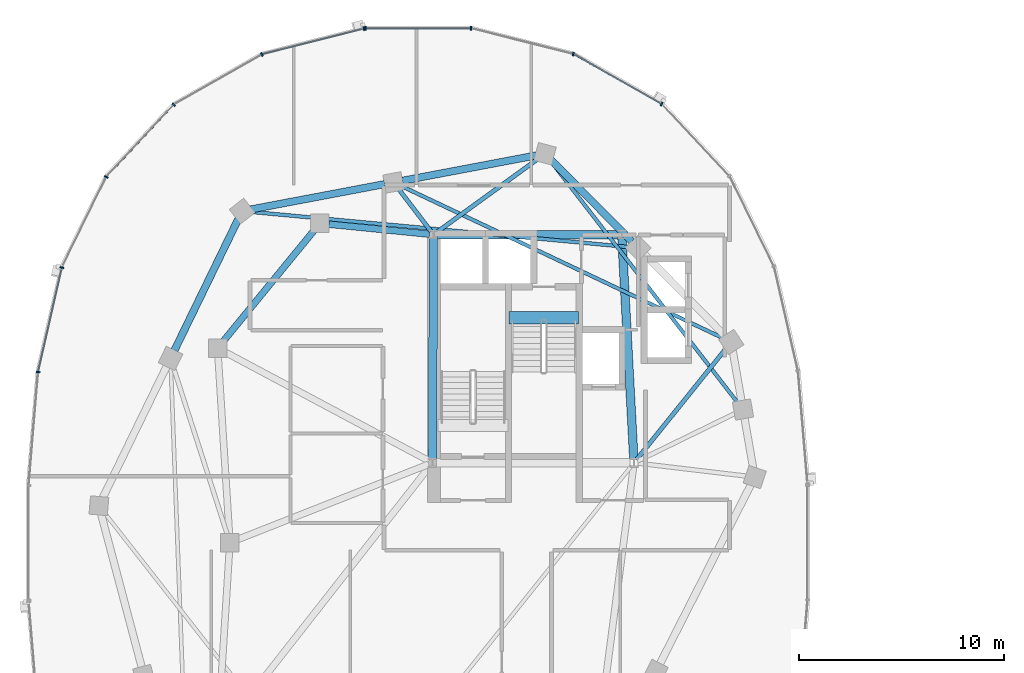
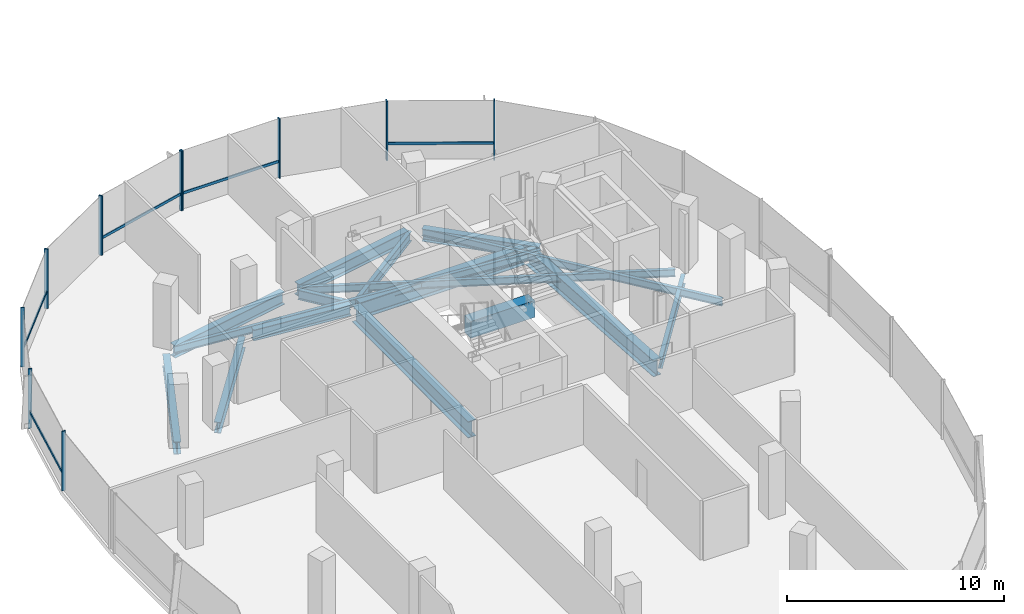
# One storey, part 6 of 25: 16 beams, 15 members, 2 elements without a shape of their own.
"""IFC4 building model written with IfcOpenShell, lengths in metres."""

from ifc_helpers import new_model, si_unit, direction, frame, origin, origin_2d, place, context, subcontext, project, spatial, rectangle, i_section, extrude, material, material_profile, profile_set, type_object, element, aggregate, save


model = new_model("IFC4")

# Units and contexts
model_context = context("Model", 3, precision=1e-05, world=origin(), true_north=direction((0.0, 1.0)))
body_context = subcontext(model_context, "Body", "Model", "MODEL_VIEW")
ifc_project = project(units=[si_unit("LENGTHUNIT", "METRE"), si_unit("AREAUNIT", "SQUARE_METRE"), si_unit("VOLUMEUNIT", "CUBIC_METRE"), si_unit("PLANEANGLEUNIT", "RADIAN"), si_unit("MASSUNIT", "GRAM", prefix="KILO"), si_unit("THERMODYNAMICTEMPERATUREUNIT", "KELVIN"), si_unit("POWERUNIT", "WATT")], contexts=[model_context])

# Site, building, storey
site_placement = place(None, origin())
site = spatial("IfcSite", under=ifc_project, at=site_placement, CompositionType="ELEMENT")
building_placement = place(site_placement, origin())
building = spatial("IfcBuilding", under=site, at=building_placement, Name="Cundina Bronze Exchange", CompositionType="ELEMENT")
storey_placement = place(building_placement, frame((0.0, 0.0, 195.39990234375)))
storey = spatial("IfcBuildingStorey", under=building, at=storey_placement, Name="L51", CompositionType="ELEMENT", Elevation=195.39990234375)

# Beams
ifc_material_1 = material(Name="Concrete C60/75", Category="concrete")
ifc_material_profile_1 = material_profile(ifc_material_1, rectangle(XDim=0.60009765625, YDim=0.949951171875, at=origin_2d()), Name="RC600X950", Category="concrete")
ifc_profile_set_1 = profile_set([ifc_material_profile_1], Name="Concrete C60/75")
beam_type_1 = type_object("IfcBeamType", Name="BM-COUP-RC950", PredefinedType="LINTEL", material=ifc_profile_set_1)
beam_1_placement = place(storey_placement, frame((-27.56005859375, 10.97998046875, -0.474853515625), z_axis=(1.0, 0.0, 0.0), x_axis=(0.0, 1.0, 0.0)))
element("IfcBeam", 1, at=beam_1_placement, inside=storey, type_object=beam_type_1, Name="L51 Stair W2 Landing Header Beam", PredefinedType="LINTEL", context=body_context, shape_type="SweptSolid", body=[
    extrude(rectangle(XDim=0.60009765625, YDim=0.949951171875, at=origin_2d()), origin(), (0.0, 0.0, 1.0), 3.400146484375),
])
ifc_material_2 = material(Name="Steel ASTM A992 Grade 50", Category="steel")
ifc_material_profile_2 = material_profile(ifc_material_2, i_section(OverallWidth=0.2119140625, OverallDepth=0.5439453125, WebThickness=0.01318359375, FlangeThickness=0.021240234375, FilletRadius=0.013916015625, at=origin_2d()), Name="W21X83", Category="steel")
ifc_profile_set_2 = profile_set([ifc_material_profile_2], Name="Steel ASTM A992 Grade 50")
beam_type_2 = type_object("IfcBeamType", Name="BM-FLR-W21A", PredefinedType="BEAM", material=ifc_profile_set_2)
beam_2_placement = place(storey_placement, frame((-21.3271484375, 4.052734375, -0.531982421875), z_axis=(0.627128630072, 0.778915708755, 0.0), x_axis=(-0.778915708755, 0.627128630072, 0.0)))
element("IfcBeam", 2, at=beam_2_placement, inside=storey, type_object=beam_type_2, Name="L51 Leg W Radial Floor Beam 02", PredefinedType="BEAM", context=body_context, shape_type="SweptSolid", body=[
    extrude(i_section(OverallWidth=0.2119140625, OverallDepth=0.5439453125, WebThickness=0.01318359375, FlangeThickness=0.021240234375, FilletRadius=0.013916015625, at=origin_2d()), origin(), (0.0, 0.0, 1.0), 6.9404296875),
])
beam_3_placement = place(storey_placement, frame((-31.09130859375, 15.1650390625, -0.531982421875), z_axis=(0.809709858543, 0.586830422677, 0.0), x_axis=(-0.586830422677, 0.809709858543, 0.0)))
element("IfcBeam", 3, at=beam_3_placement, inside=storey, type_object=beam_type_2, Name="L51 Leg W Radial Floor Beam 04", PredefinedType="BEAM", context=body_context, shape_type="SweptSolid", body=[
    extrude(i_section(OverallWidth=0.2119140625, OverallDepth=0.5439453125, WebThickness=0.01318359375, FlangeThickness=0.021240234375, FilletRadius=0.013916015625, at=origin_2d()), origin(), (0.0, 0.0, 1.0), 6.096923828125),
])
beam_4_placement = place(storey_placement, frame((-31.369140625, 15.205810546875, -0.531982421875), z_axis=(-0.60740437517, 0.794392802727, 0.0), x_axis=(-0.794392802727, -0.60740437517, 0.0)))
element("IfcBeam", 4, at=beam_4_placement, inside=storey, type_object=beam_type_2, Name="L51 Leg W Radial Floor Beam 05", PredefinedType="BEAM", context=body_context, shape_type="SweptSolid", body=[
    extrude(i_section(OverallWidth=0.2119140625, OverallDepth=0.5439453125, WebThickness=0.01318359375, FlangeThickness=0.021240234375, FilletRadius=0.013916015625, at=origin_2d()), origin(), (0.0, 0.0, 1.0), 2.575927734375),
])
ifc_material_profile_3 = material_profile(ifc_material_2, i_section(OverallWidth=0.178955078125, OverallDepth=0.409912109375, WebThickness=0.0087890625, FlangeThickness=0.014404296875, FilletRadius=0.010986328125, at=origin_2d()), Name="W16X45", Category="steel")
ifc_profile_set_3 = profile_set([ifc_material_profile_3], Name="Steel ASTM A992 Grade 50")
beam_type_3 = type_object("IfcBeamType", Name="BM-JST-W16", PredefinedType="JOIST", material=ifc_profile_set_3)
beam_5_placement = place(storey_placement, frame((-16.39306640625, 6.846435546875, -0.46484375), z_axis=(-0.612085793291, 0.790791364174, 0.0), x_axis=(-0.790791364174, -0.612085793291, 0.0)))
element("IfcBeam", 5, at=beam_5_placement, inside=storey, type_object=beam_type_3, Name="L51 Leg W Lobe Floor Joist 01-04", PredefinedType="JOIST", context=body_context, shape_type="SweptSolid", body=[
    extrude(i_section(OverallWidth=0.178955078125, OverallDepth=0.409912109375, WebThickness=0.0087890625, FlangeThickness=0.014404296875, FilletRadius=0.010986328125, at=origin_2d()), origin(), (0.0, 0.0, 1.0), 14.9306640625),
])
beam_6_placement = place(storey_placement, frame((-17.095947265625, 9.9873046875, -0.46484375), z_axis=(-0.904073747204, 0.427376484632, 0.0), x_axis=(-0.427376484632, -0.904073747204, 0.0)))
element("IfcBeam", 6, at=beam_6_placement, inside=storey, type_object=beam_type_3, Name="L51 Leg W Lobe Floor Joist 02-05", PredefinedType="JOIST", context=body_context, shape_type="SweptSolid", body=[
    extrude(i_section(OverallWidth=0.178955078125, OverallDepth=0.409912109375, WebThickness=0.0087890625, FlangeThickness=0.014404296875, FilletRadius=0.010986328125, at=origin_2d()), origin(), (0.0, 0.0, 1.0), 17.374755859375),
])
beam_7_placement = place(storey_placement, frame((-21.68603515625, 14.440673828125, -0.46484375), z_axis=(-0.9957017803, 0.092617302415, 0.0), x_axis=(-0.092617302415, -0.9957017803, 0.0)))
element("IfcBeam", 7, at=beam_7_placement, inside=storey, type_object=beam_type_3, Name="L51 Leg W Lobe Floor Joist 03-06", PredefinedType="JOIST", context=body_context, shape_type="SweptSolid", body=[
    extrude(i_section(OverallWidth=0.178955078125, OverallDepth=0.409912109375, WebThickness=0.0087890625, FlangeThickness=0.014404296875, FilletRadius=0.010986328125, at=origin_2d()), origin(), (0.0, 0.0, 1.0), 18.5576171875),
])
ifc_material_profile_4 = material_profile(ifc_material_2, i_section(OverallWidth=0.324951171875, OverallDepth=0.615966796875, WebThickness=0.013916015625, FlangeThickness=0.021484375, FilletRadius=0.01611328125, at=origin_2d()), Name="W24X117", Category="steel")
ifc_profile_set_4 = profile_set([ifc_material_profile_4], Name="Steel ASTM A992 Grade 50")
beam_type_4 = type_object("IfcBeamType", Name="BM-RING-W24", PredefinedType="USERDEFINED", material=ifc_profile_set_4)
beam_8_placement = place(storey_placement, frame((-31.445068359375, 15.0693359375, -0.56787109375), z_axis=(-0.995123854478, 0.09863323096, 0.0), x_axis=(-0.09863323096, -0.995123854478, 0.0)))
element("IfcBeam", 8, at=beam_8_placement, inside=storey, type_object=beam_type_4, Name="L51 W Inner Structural Ring Girder 01", ObjectType="GIRDER", PredefinedType="USERDEFINED", context=body_context, shape_type="SweptSolid", body=[
    extrude(i_section(OverallWidth=0.324951171875, OverallDepth=0.615966796875, WebThickness=0.013916015625, FlangeThickness=0.021484375, FilletRadius=0.01611328125, at=origin_2d()), origin(), (0.0, 0.0, 1.0), 4.943115234375),
])
beam_9_placement = place(storey_placement, frame((-37.07763671875, 15.26123046875, -0.56787109375), z_axis=(-0.633912590175, -0.77340469873, 0.0), x_axis=(0.77340469873, -0.633912590175, 0.0)))
element("IfcBeam", 9, at=beam_9_placement, inside=storey, type_object=beam_type_4, Name="L51 W Inner Structural Ring Girder 02", ObjectType="GIRDER", PredefinedType="USERDEFINED", context=body_context, shape_type="SweptSolid", body=[
    extrude(i_section(OverallWidth=0.324951171875, OverallDepth=0.615966796875, WebThickness=0.013916015625, FlangeThickness=0.021484375, FilletRadius=0.01611328125, at=origin_2d()), origin(), (0.0, 0.0, 1.0), 7.01123046875),
])
ifc_material_profile_5 = material_profile(ifc_material_2, i_section(OverallWidth=0.35498046875, OverallDepth=0.695068359375, WebThickness=0.015380859375, FlangeThickness=0.02490234375, FilletRadius=0.01806640625, at=origin_2d()), Name="W27X146", Category="steel")
ifc_profile_set_5 = profile_set([ifc_material_profile_5], Name="Steel ASTM A992 Grade 50")
beam_type_5 = type_object("IfcBeamType", Name="BM-RING-W27", PredefinedType="USERDEFINED", material=ifc_profile_set_5)
beam_10_placement = place(storey_placement, frame((-21.55810546875, 14.71142578125, -0.607421875), z_axis=(-0.703211928763, 0.710980297368, 0.0), x_axis=(-0.710980297368, -0.703211928763, 0.0)))
element("IfcBeam", 10, at=beam_10_placement, inside=storey, type_object=beam_type_5, Name="L51 W Perimeter Ring Girder 03", ObjectType="GIRDER", PredefinedType="USERDEFINED", context=body_context, shape_type="SweptSolid", body=[
    extrude(i_section(OverallWidth=0.35498046875, OverallDepth=0.695068359375, WebThickness=0.015380859375, FlangeThickness=0.02490234375, FilletRadius=0.01806640625, at=origin_2d()), origin(), (0.0, 0.0, 1.0), 5.593994140625),
])
beam_11_placement = place(storey_placement, frame((-26.23046875, 18.918701171875, -0.607421875), z_axis=(-0.982565174657, -0.185918470175, 0.0), x_axis=(0.185918470175, -0.982565174657, 0.0)))
element("IfcBeam", 11, at=beam_11_placement, inside=storey, type_object=beam_type_5, Name="L51 W Perimeter Ring Girder 04", ObjectType="GIRDER", PredefinedType="USERDEFINED", context=body_context, shape_type="SweptSolid", body=[
    extrude(i_section(OverallWidth=0.35498046875, OverallDepth=0.695068359375, WebThickness=0.015380859375, FlangeThickness=0.02490234375, FilletRadius=0.01806640625, at=origin_2d()), origin(), (0.0, 0.0, 1.0), 6.655029296875),
])
beam_12_placement = place(storey_placement, frame((-33.63037109375, 17.5185546875, -0.607421875), z_axis=(-0.982573143022, -0.185876353022, 0.0), x_axis=(0.185876353022, -0.982573143022, 0.0)))
element("IfcBeam", 12, at=beam_12_placement, inside=storey, type_object=beam_type_5, Name="L51 W Perimeter Ring Girder 05", ObjectType="GIRDER", PredefinedType="USERDEFINED", context=body_context, shape_type="SweptSolid", body=[
    extrude(i_section(OverallWidth=0.35498046875, OverallDepth=0.695068359375, WebThickness=0.015380859375, FlangeThickness=0.02490234375, FilletRadius=0.01806640625, at=origin_2d()), origin(), (0.0, 0.0, 1.0), 6.6552734375),
])
beam_13_placement = place(storey_placement, frame((-40.79150390625, 15.80615234375, -0.607421875), z_axis=(-0.437173087764, -0.89937739094, 0.0), x_axis=(0.89937739094, -0.437173087764, 0.0)))
element("IfcBeam", 13, at=beam_13_placement, inside=storey, type_object=beam_type_5, Name="L51 W Perimeter Ring Girder 06", ObjectType="GIRDER", PredefinedType="USERDEFINED", context=body_context, shape_type="SweptSolid", body=[
    extrude(i_section(OverallWidth=0.35498046875, OverallDepth=0.695068359375, WebThickness=0.015380859375, FlangeThickness=0.02490234375, FilletRadius=0.01806640625, at=origin_2d()), origin(), (0.0, 0.0, 1.0), 7.1298828125),
])
ifc_material_profile_6 = material_profile(ifc_material_2, i_section(OverallWidth=0.41796875, OverallDepth=0.927001953125, WebThickness=0.019287109375, FlangeThickness=0.031982421875, FilletRadius=0.02392578125, at=origin_2d()), Name="W36X231", Category="steel")
ifc_profile_set_6 = profile_set([ifc_material_profile_6], Name="Steel ASTM A992 Grade 50")
beam_type_6 = type_object("IfcBeamType", Name="BM-WRN-W36B", PredefinedType="USERDEFINED", material=ifc_profile_set_6)
beam_14_placement = place(storey_placement, frame((-21.46044921875, 4.095703125, -0.723388671875), z_axis=(-0.053749317644, 0.998554460634, 0.0), x_axis=(-0.998554460634, -0.053749317644, 0.0)))
element("IfcBeam", 14, at=beam_14_placement, inside=storey, type_object=beam_type_6, Name="L51 W Core Perimeter Tie Girder 2", ObjectType="GIRDER", PredefinedType="USERDEFINED", context=body_context, shape_type="SweptSolid", body=[
    extrude(i_section(OverallWidth=0.41796875, OverallDepth=0.927001953125, WebThickness=0.019287109375, FlangeThickness=0.031982421875, FilletRadius=0.02392578125, at=origin_2d()), origin(), (0.0, 0.0, 1.0), 10.774169921875),
])
beam_15_placement = place(storey_placement, frame((-22.24609375, 15.050048828125, -0.723388671875), z_axis=(-1.0, 0.0, 0.0), x_axis=(0.0, -1.0, 0.0)))
element("IfcBeam", 15, at=beam_15_placement, inside=storey, type_object=beam_type_6, Name="L51 W Core Perimeter Tie Girder 3", ObjectType="GIRDER", PredefinedType="USERDEFINED", context=body_context, shape_type="SweptSolid", body=[
    extrude(i_section(OverallWidth=0.41796875, OverallDepth=0.927001953125, WebThickness=0.019287109375, FlangeThickness=0.031982421875, FilletRadius=0.02392578125, at=origin_2d()), origin(), (0.0, 0.0, 1.0), 8.807861328125),
])
beam_16_placement = place(storey_placement, frame((-31.2509765625, 14.85400390625, -0.723388671875), z_axis=(-0.004470623654, -0.999990006712, 0.0), x_axis=(0.999990006712, -0.004470623654, 0.0)))
element("IfcBeam", 16, at=beam_16_placement, inside=storey, type_object=beam_type_6, Name="L51 W Core Perimeter Tie Girder 4", ObjectType="GIRDER", PredefinedType="USERDEFINED", context=body_context, shape_type="SweptSolid", body=[
    extrude(i_section(OverallWidth=0.41796875, OverallDepth=0.927001953125, WebThickness=0.019287109375, FlangeThickness=0.031982421875, FilletRadius=0.02392578125, at=origin_2d()), origin(), (0.0, 0.0, 1.0), 10.758056640625),
])

# Curtain wall, members
ifc_material_3 = material(Name="Anodised Bronze Aluminium 6063-T6", Category="aluminium")
curtain_wall_type = type_object("IfcCurtainWallType", Name="CWS-UPP-OFF", PredefinedType="NOTDEFINED", material=ifc_material_3)
curtain_wall_1_placement = place(storey_placement, origin())
curtain_wall_1 = element("IfcCurtainWall", 17, at=curtain_wall_1_placement, inside=storey, type_object=curtain_wall_type, Name="L51 CW-05 Curtain Wall Run CWR-L51-W1", PredefinedType="NOTDEFINED")
ifc_material_profile_7 = material_profile(ifc_material_3, rectangle(XDim=0.070068359375, YDim=0.18994140625, at=origin_2d()), Name="AL70X190", Category="aluminium")
ifc_profile_set_7 = profile_set([ifc_material_profile_7], Name="Anodised Bronze Aluminium 6063-T6")
member_type_1 = type_object("IfcMemberType", Name="CWM-MUL-190", PredefinedType="MULLION", material=ifc_profile_set_7)
member_1_placement = place(storey_placement, frame((-20.100341796875, 21.43115234375, 0.0), z_axis=(0.0, 0.0, 1.0), x_axis=(-0.86958112538, 0.493790103568, 0.0)))
member_1 = element("IfcMember", 18, at=member_1_placement, type_object=member_type_1, Name="CW-05 Mullion 5", PredefinedType="MULLION", context=body_context, shape_type="SweptSolid", body=[
    extrude(rectangle(XDim=0.070068359375, YDim=0.18994140625, at=origin_2d()), origin(), (0.0, 0.0, 1.0), 3.340087890625),
])
member_2_placement = place(storey_placement, frame((-24.422607421875, 23.87548828125, 0.0), z_axis=(0.0, 0.0, 1.0), x_axis=(-0.969744325821, 0.244122802168, 0.0)))
member_2 = element("IfcMember", 19, at=member_2_placement, type_object=member_type_1, Name="CW-05 Mullion 6", PredefinedType="MULLION", context=body_context, shape_type="SweptSolid", body=[
    extrude(rectangle(XDim=0.070068359375, YDim=0.18994140625, at=origin_2d()), origin(), (0.0, 0.0, 1.0), 3.340087890625),
])
member_3_placement = place(storey_placement, frame((-29.419921875, 25.125, 0.0), z_axis=(0.0, 0.0, 1.0), x_axis=(-1.0, 0.0, 0.0)))
member_3 = element("IfcMember", 20, at=member_3_placement, type_object=member_type_1, Name="CW-05 Mullion 7", PredefinedType="MULLION", context=body_context, shape_type="SweptSolid", body=[
    extrude(rectangle(XDim=0.070068359375, YDim=0.18994140625, at=origin_2d()), origin(), (0.0, 0.0, 1.0), 3.340087890625),
])
member_4_placement = place(storey_placement, frame((-34.580078125, 25.125, 0.0), z_axis=(0.0, 0.0, 1.0), x_axis=(-1.0, 0.0, 0.0)))
member_4 = element("IfcMember", 21, at=member_4_placement, type_object=member_type_1, Name="CW-05 End Mullion", PredefinedType="MULLION", context=body_context, shape_type="SweptSolid", body=[
    extrude(rectangle(XDim=0.070068359375, YDim=0.18994140625, at=origin_2d()), origin(), (0.0, 0.0, 1.0), 3.340087890625),
])

curtain_wall_2_placement = place(storey_placement, origin())
curtain_wall_2 = element("IfcCurtainWall", 22, at=curtain_wall_2_placement, inside=storey, type_object=curtain_wall_type, Name="L51 CW-05 Curtain Wall Run CWR-L51-W2", PredefinedType="NOTDEFINED")
member_5_placement = place(storey_placement, frame((-34.6484375, 25.116455078125, 0.0), z_axis=(0.0, 0.0, 1.0), x_axis=(-0.969744325821, -0.244122802168, 0.0)))
member_5 = element("IfcMember", 23, at=member_5_placement, type_object=member_type_1, Name="CW-05 Mullion 1", PredefinedType="MULLION", context=body_context, shape_type="SweptSolid", body=[
    extrude(rectangle(XDim=0.070068359375, YDim=0.18994140625, at=origin_2d()), origin(), (0.0, 0.0, 1.0), 3.340087890625),
])
member_6_placement = place(storey_placement, frame((-39.638916015625, 23.850830078125, 0.0), z_axis=(0.0, 0.0, 1.0), x_axis=(-0.86958112538, -0.493790103568, 0.0)))
member_6 = element("IfcMember", 24, at=member_6_placement, type_object=member_type_1, Name="CW-05 Mullion 2", PredefinedType="MULLION", context=body_context, shape_type="SweptSolid", body=[
    extrude(rectangle(XDim=0.070068359375, YDim=0.18994140625, at=origin_2d()), origin(), (0.0, 0.0, 1.0), 3.340087890625),
])
member_7_placement = place(storey_placement, frame((-43.94873046875, 21.392578125, 0.0), z_axis=(0.0, 0.0, 1.0), x_axis=(-0.684292606175, -0.729207535023, 0.0)))
member_7 = element("IfcMember", 25, at=member_7_placement, type_object=member_type_1, Name="CW-05 Mullion 3", PredefinedType="MULLION", context=body_context, shape_type="SweptSolid", body=[
    extrude(rectangle(XDim=0.070068359375, YDim=0.18994140625, at=origin_2d()), origin(), (0.0, 0.0, 1.0), 3.340087890625),
])
member_8_placement = place(storey_placement, frame((-47.245361328125, 17.866455078125, 0.0), z_axis=(0.0, 0.0, 1.0), x_axis=(-0.440566004113, -0.897720221461, 0.0)))
member_8 = element("IfcMember", 26, at=member_8_placement, type_object=member_type_1, Name="CW-05 Mullion 4", PredefinedType="MULLION", context=body_context, shape_type="SweptSolid", body=[
    extrude(rectangle(XDim=0.070068359375, YDim=0.18994140625, at=origin_2d()), origin(), (0.0, 0.0, 1.0), 3.340087890625),
])
member_9_placement = place(storey_placement, frame((-49.40771484375, 13.440673828125, 0.0), z_axis=(0.0, 0.0, 1.0), x_axis=(-0.223250116011, -0.974761194191, 0.0)))
member_9 = element("IfcMember", 27, at=member_9_placement, type_object=member_type_1, Name="CW-05 Mullion 5", PredefinedType="MULLION", context=body_context, shape_type="SweptSolid", body=[
    extrude(rectangle(XDim=0.070068359375, YDim=0.18994140625, at=origin_2d()), origin(), (0.0, 0.0, 1.0), 3.340087890625),
])
member_10_placement = place(storey_placement, frame((-50.572509765625, 8.33056640625, 0.0), z_axis=(0.0, 0.0, 1.0), x_axis=(-0.083677843332, -0.99649285925, 0.0)))
member_10 = element("IfcMember", 28, at=member_10_placement, type_object=member_type_1, Name="CW-05 Mullion 6", PredefinedType="MULLION", context=body_context, shape_type="SweptSolid", body=[
    extrude(rectangle(XDim=0.070068359375, YDim=0.18994140625, at=origin_2d()), origin(), (0.0, 0.0, 1.0), 3.340087890625),
])

# Member
ifc_material_profile_8 = material_profile(ifc_material_3, rectangle(XDim=0.06494140625, YDim=0.14990234375, at=origin_2d()), Name="AL65X150", Category="aluminium")
ifc_profile_set_8 = profile_set([ifc_material_profile_8], Name="Anodised Bronze Aluminium 6063-T6")
member_type_2 = type_object("IfcMemberType", Name="CWM-TRN-150", PredefinedType="USERDEFINED", material=ifc_profile_set_8)
member_11_placement = place(storey_placement, frame((-20.1337890625, 21.4501953125, 0.920166015625), z_axis=(-0.869573748083, 0.493803095013, 0.0), x_axis=(-0.493803095013, -0.869573748083, 0.0)))
member_11 = element("IfcMember", 29, at=member_11_placement, type_object=member_type_2, Name="CW-05 Spandrel Transom 5", ObjectType="TRANSOM", PredefinedType="USERDEFINED", context=body_context, shape_type="SweptSolid", body=[
    extrude(rectangle(XDim=0.06494140625, YDim=0.14990234375, at=origin_2d()), origin(), (0.0, 0.0, 1.0), 4.900146484375),
])

member_12_placement = place(storey_placement, frame((-29.45849609375, 25.125, 0.920166015625), z_axis=(-1.0, 0.0, 0.0), x_axis=(0.0, -1.0, 0.0)))
member_12 = element("IfcMember", 30, at=member_12_placement, type_object=member_type_2, Name="CW-05 Spandrel Transom 7", ObjectType="TRANSOM", PredefinedType="USERDEFINED", context=body_context, shape_type="SweptSolid", body=[
    extrude(rectangle(XDim=0.06494140625, YDim=0.14990234375, at=origin_2d()), origin(), (0.0, 0.0, 1.0), 5.0830078125),
])

aggregate(curtain_wall_1, [member_1, member_11, member_2, member_3, member_4, member_12])

member_13_placement = place(storey_placement, frame((-34.685791015625, 25.107177734375, 0.920166015625), z_axis=(-0.969725738797, -0.244196624699, 0.0), x_axis=(0.244196624699, -0.969725738797, 0.0)))
member_13 = element("IfcMember", 31, at=member_13_placement, type_object=member_type_2, Name="CW-05 Spandrel Transom 1", ObjectType="TRANSOM", PredefinedType="USERDEFINED", context=body_context, shape_type="SweptSolid", body=[
    extrude(rectangle(XDim=0.06494140625, YDim=0.14990234375, at=origin_2d()), origin(), (0.0, 0.0, 1.0), 5.082763671875),
])

member_14_placement = place(storey_placement, frame((-43.97509765625, 21.364501953125, 0.920166015625), z_axis=(-0.684336416554, -0.729166420633, 0.0), x_axis=(0.729166420633, -0.684336416554, 0.0)))
member_14 = element("IfcMember", 32, at=member_14_placement, type_object=member_type_2, Name="CW-05 Spandrel Transom 3", ObjectType="TRANSOM", PredefinedType="USERDEFINED", context=body_context, shape_type="SweptSolid", body=[
    extrude(rectangle(XDim=0.06494140625, YDim=0.14990234375, at=origin_2d()), origin(), (0.0, 0.0, 1.0), 4.76513671875),
])

member_15_placement = place(storey_placement, frame((-49.41650390625, 13.403076171875, 0.920166015625), z_axis=(-0.22328343579, -0.974753562344, 0.0), x_axis=(0.974753562344, -0.22328343579, 0.0)))
member_15 = element("IfcMember", 33, at=member_15_placement, type_object=member_type_2, Name="CW-05 Spandrel Transom 5", ObjectType="TRANSOM", PredefinedType="USERDEFINED", context=body_context, shape_type="SweptSolid", body=[
    extrude(rectangle(XDim=0.06494140625, YDim=0.14990234375, at=origin_2d()), origin(), (0.0, 0.0, 1.0), 5.159912109375),
])

aggregate(curtain_wall_2, [member_5, member_13, member_6, member_7, member_14, member_8, member_9, member_15, member_10])

save(model, "model.ifc")
